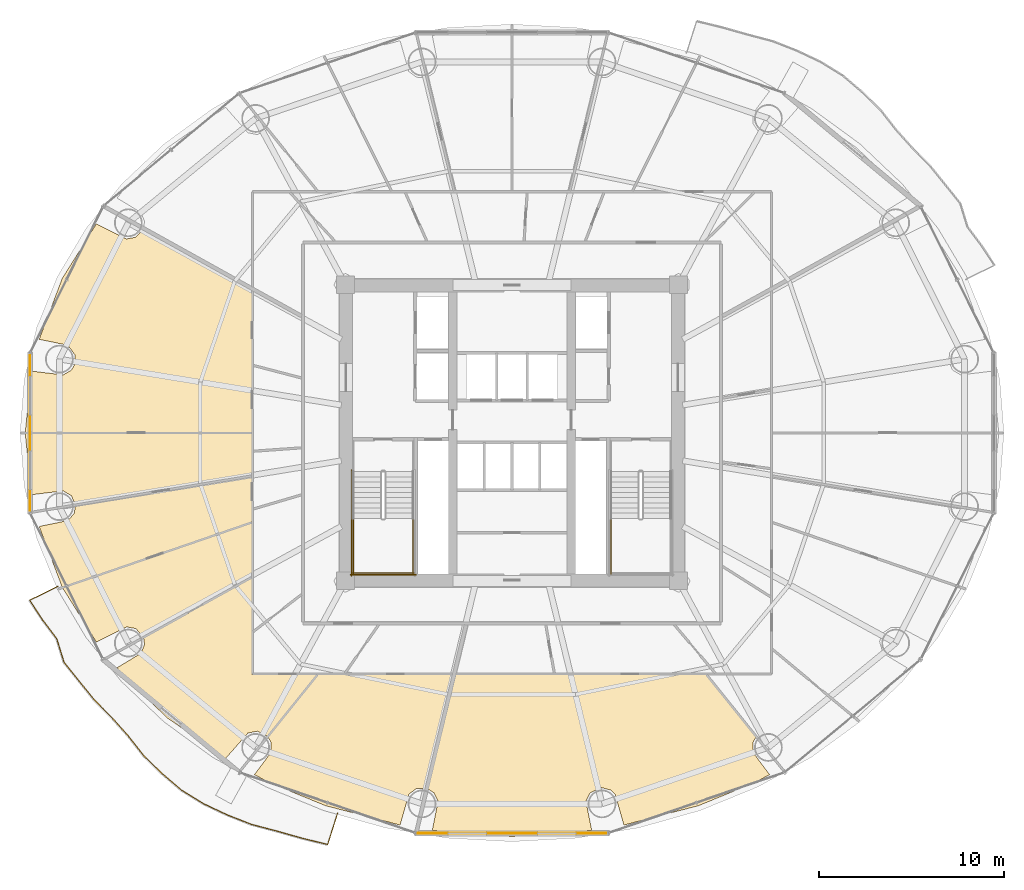
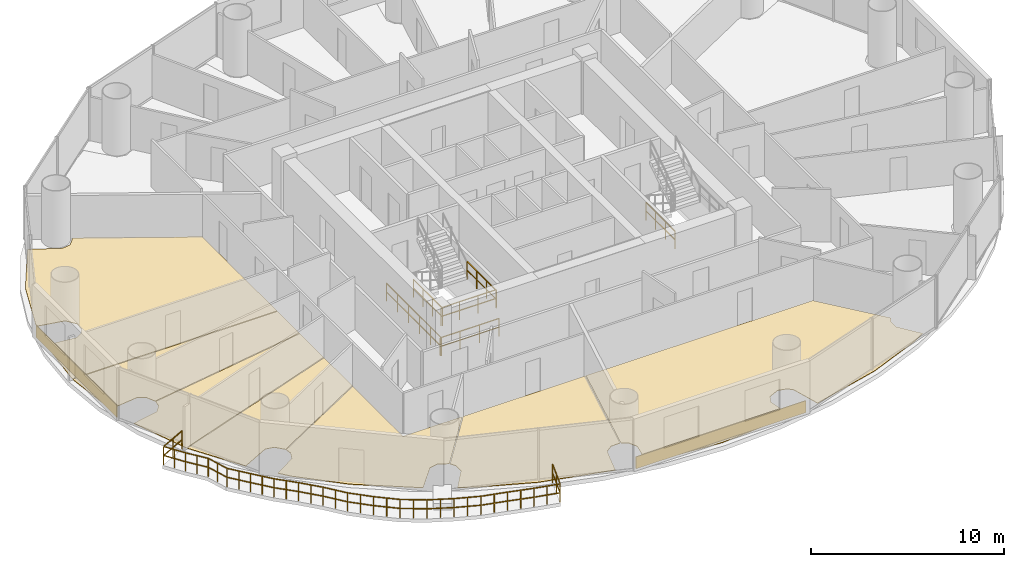
# One storey, part 26 of 29: 9 coverings, 7 railings.
"""IFC4 building model written with IfcOpenShell, lengths in metres."""

from ifc_helpers import new_model, si_unit, direction, frame, origin, origin_2d, place, context, subcontext, project, spatial, polyline, rectangle, outline, extrude, source, transform, mapped, material, layer, layer_set, type_object, element, save


model = new_model("IFC4")

# Units and contexts
model_context = context("Model", 3, precision=1e-05, world=origin(), true_north=direction((-0.2419218956, 0.970295726276)))
body_context = subcontext(model_context, "Body", "Model", "MODEL_VIEW")
ifc_project = project(units=[si_unit("LENGTHUNIT", "METRE"), si_unit("AREAUNIT", "SQUARE_METRE"), si_unit("VOLUMEUNIT", "CUBIC_METRE"), si_unit("PLANEANGLEUNIT", "RADIAN"), si_unit("MASSUNIT", "GRAM", prefix="KILO")], contexts=[model_context])

# Site, building, storey
site_placement = place(None, origin())
site = spatial("IfcSite", under=ifc_project, at=site_placement, CompositionType="ELEMENT")
building_placement = place(site_placement, origin())
building = spatial("IfcBuilding", under=site, at=building_placement, Name="Cobrevalo Terracotta Tower", CompositionType="ELEMENT")
storey_placement = place(building_placement, frame((0.0, 0.0, 90.60009765625)))
storey = spatial("IfcBuildingStorey", under=building, at=storey_placement, Name="L23", CompositionType="ELEMENT", Elevation=90.60009765625)

# Railing
ifc_material_1 = material(Name="Laminated structural glass and stainless steel", Category="steel")
railing_type_1 = type_object("IfcRailingType", Name="Balcony lobe structural glass & terracotta-cap balustrade 1180 mm", PredefinedType="BALUSTRADE", material=ifc_material_1)
railing_1_placement = place(storey_placement, frame((13.455810546875, 18.504150390625, 0.0)))
element("IfcRailing", 1, at=railing_1_placement, inside=storey, type_object=railing_type_1, Name="L23 spiralling balcony lobe balustrade 2", PredefinedType="BALUSTRADE", context=body_context, shape_type="SweptSolid", body=[
    extrude(rectangle(XDim=0.048095703125, YDim=0.048095703125, at=origin_2d()), frame((0.0, 0.0, 1.15576171875), z_axis=(-0.89822753521, -0.439530766831, 0.0), x_axis=(0.439530766831, -0.89822753521, 0.0)), (0.0, 0.0, 1.0), 1.70703125),
    extrude(rectangle(XDim=0.048095703125, YDim=0.048095703125, at=origin_2d()), frame((0.0, 0.0, 0.58984375), z_axis=(-0.89822753521, -0.439530766831, 0.0), x_axis=(0.439530766831, -0.89822753521, 0.0)), (0.0, 0.0, 1.0), 1.70703125),
    extrude(rectangle(XDim=0.048095703125, YDim=0.048095703125, at=origin_2d()), frame((-1.533203125, -0.750244140625, 1.15576171875), z_axis=(0.549292614204, -0.835630076039, 0.0), x_axis=(0.835630076039, 0.549292614204, 0.0)), (0.0, 0.0, 1.0), 1.27392578125),
    extrude(rectangle(XDim=0.048095703125, YDim=0.048095703125, at=origin_2d()), frame((-1.533203125, -0.750244140625, 0.58984375), z_axis=(0.549292614204, -0.835630076039, 0.0), x_axis=(0.835630076039, 0.549292614204, 0.0)), (0.0, 0.0, 1.0), 1.27392578125),
    extrude(rectangle(XDim=0.048095703125, YDim=0.048095703125, at=origin_2d()), frame((-0.83349609375, -1.814697265625, 1.15576171875), z_axis=(0.601596404004, -0.798800204487, 0.0), x_axis=(0.798800204487, 0.601596404004, 0.0)), (0.0, 0.0, 1.0), 1.271484375),
    extrude(rectangle(XDim=0.048095703125, YDim=0.048095703125, at=origin_2d()), frame((-0.83349609375, -1.814697265625, 0.58984375), z_axis=(0.601596404004, -0.798800204487, 0.0), x_axis=(0.798800204487, 0.601596404004, 0.0)), (0.0, 0.0, 1.0), 1.271484375),
    extrude(rectangle(XDim=0.048095703125, YDim=0.048095703125, at=origin_2d()), frame((-0.068603515625, -2.830322265625, 1.15576171875), z_axis=(0.294689932382, -0.955592927848, 0.0), x_axis=(0.955592927848, 0.294689932382, 0.0)), (0.0, 0.0, 1.0), 1.334716796875),
    extrude(rectangle(XDim=0.048095703125, YDim=0.048095703125, at=origin_2d()), frame((-0.068603515625, -2.830322265625, 0.58984375), z_axis=(0.294689932382, -0.955592927848, 0.0), x_axis=(0.955592927848, 0.294689932382, 0.0)), (0.0, 0.0, 1.0), 1.334716796875),
    extrude(rectangle(XDim=0.048095703125, YDim=0.048095703125, at=origin_2d()), frame((0.32470703125, -4.105712890625, 1.15576171875), z_axis=(0.625538495004, -0.780193303783, 0.0), x_axis=(0.780193303783, 0.625538495004, 0.0)), (0.0, 0.0, 1.0), 1.305419921875),
    extrude(rectangle(XDim=0.048095703125, YDim=0.048095703125, at=origin_2d()), frame((0.32470703125, -4.105712890625, 0.58984375), z_axis=(0.625538495004, -0.780193303783, 0.0), x_axis=(0.780193303783, 0.625538495004, 0.0)), (0.0, 0.0, 1.0), 1.305419921875),
    extrude(rectangle(XDim=0.048095703125, YDim=0.048095703125, at=origin_2d()), frame((1.141357421875, -5.124267578125, 1.15576171875), z_axis=(0.628820955915, -0.777550130475, 0.0), x_axis=(0.777550130475, 0.628820955915, 0.0)), (0.0, 0.0, 1.0), 1.303466796875),
    extrude(rectangle(XDim=0.048095703125, YDim=0.048095703125, at=origin_2d()), frame((1.141357421875, -5.124267578125, 0.58984375), z_axis=(0.628820955915, -0.777550130475, 0.0), x_axis=(0.777550130475, 0.628820955915, 0.0)), (0.0, 0.0, 1.0), 1.303466796875),
    extrude(rectangle(XDim=0.048095703125, YDim=0.048095703125, at=origin_2d()), frame((1.9609375, -6.1376953125, 1.15576171875), z_axis=(0.70396125259, -0.710238378892, 0.0), x_axis=(0.710238378892, 0.70396125259, 0.0)), (0.0, 0.0, 1.0), 1.322265625),
    extrude(rectangle(XDim=0.048095703125, YDim=0.048095703125, at=origin_2d()), frame((1.9609375, -6.1376953125, 0.58984375), z_axis=(0.70396125259, -0.710238378892, 0.0), x_axis=(0.710238378892, 0.70396125259, 0.0)), (0.0, 0.0, 1.0), 1.322265625),
    extrude(rectangle(XDim=0.048095703125, YDim=0.048095703125, at=origin_2d()), frame((2.891845703125, -7.076904296875, 1.15576171875), z_axis=(0.667995347752, -0.744165448931, 0.0), x_axis=(0.744165448931, 0.667995347752, 0.0)), (0.0, 0.0, 1.0), 1.336669921875),
    extrude(rectangle(XDim=0.048095703125, YDim=0.048095703125, at=origin_2d()), frame((2.891845703125, -7.076904296875, 0.58984375), z_axis=(0.667995347752, -0.744165448931, 0.0), x_axis=(0.744165448931, 0.667995347752, 0.0)), (0.0, 0.0, 1.0), 1.336669921875),
    extrude(rectangle(XDim=0.048095703125, YDim=0.048095703125, at=origin_2d()), frame((3.78466796875, -8.071533203125, 1.15576171875), z_axis=(0.616514773318, -0.787343339516, 0.0), x_axis=(0.787343339516, 0.616514773318, 0.0)), (0.0, 0.0, 1.0), 1.37060546875),
    extrude(rectangle(XDim=0.048095703125, YDim=0.048095703125, at=origin_2d()), frame((3.78466796875, -8.071533203125, 0.58984375), z_axis=(0.616514773318, -0.787343339516, 0.0), x_axis=(0.787343339516, 0.616514773318, 0.0)), (0.0, 0.0, 1.0), 1.37060546875),
    extrude(rectangle(XDim=0.048095703125, YDim=0.048095703125, at=origin_2d()), frame((4.629638671875, -9.150634765625, 1.15576171875), z_axis=(0.715940743722, -0.698161049815, 0.0), x_axis=(0.698161049815, 0.715940743722, 0.0)), (0.0, 0.0, 1.0), 1.386962890625),
    extrude(rectangle(XDim=0.048095703125, YDim=0.048095703125, at=origin_2d()), frame((4.629638671875, -9.150634765625, 0.58984375), z_axis=(0.715940743722, -0.698161049815, 0.0), x_axis=(0.698161049815, 0.715940743722, 0.0)), (0.0, 0.0, 1.0), 1.386962890625),
    extrude(rectangle(XDim=0.048095703125, YDim=0.048095703125, at=origin_2d()), frame((5.62255859375, -10.118896484375, 1.15576171875), z_axis=(0.760767610744, -0.649024377387, 0.0), x_axis=(0.649024377387, 0.760767610744, 0.0)), (0.0, 0.0, 1.0), 1.3896484375),
    extrude(rectangle(XDim=0.048095703125, YDim=0.048095703125, at=origin_2d()), frame((5.62255859375, -10.118896484375, 0.58984375), z_axis=(0.760767610744, -0.649024377387, 0.0), x_axis=(0.649024377387, 0.760767610744, 0.0)), (0.0, 0.0, 1.0), 1.3896484375),
    extrude(rectangle(XDim=0.048095703125, YDim=0.048095703125, at=origin_2d()), frame((6.6796875, -11.020751953125, 1.15576171875), z_axis=(0.851514645557, -0.524330819618, 0.0), x_axis=(0.524330819618, 0.851514645557, 0.0)), (0.0, 0.0, 1.0), 1.400634765625),
    extrude(rectangle(XDim=0.048095703125, YDim=0.048095703125, at=origin_2d()), frame((6.6796875, -11.020751953125, 0.58984375), z_axis=(0.851514645557, -0.524330819618, 0.0), x_axis=(0.524330819618, 0.851514645557, 0.0)), (0.0, 0.0, 1.0), 1.400634765625),
    extrude(rectangle(XDim=0.048095703125, YDim=0.048095703125, at=origin_2d()), frame((7.872314453125, -11.755126953125, 1.15576171875), z_axis=(0.904461800643, -0.426554628596, 0.0), x_axis=(0.426554628596, 0.904461800643, 0.0)), (0.0, 0.0, 1.0), 1.412109375),
    extrude(rectangle(XDim=0.048095703125, YDim=0.048095703125, at=origin_2d()), frame((7.872314453125, -11.755126953125, 0.58984375), z_axis=(0.904461800643, -0.426554628596, 0.0), x_axis=(0.426554628596, 0.904461800643, 0.0)), (0.0, 0.0, 1.0), 1.412109375),
    extrude(rectangle(XDim=0.048095703125, YDim=0.048095703125, at=origin_2d()), frame((9.1494140625, -12.357421875, 1.15576171875), z_axis=(0.931014811424, -0.364981398032, 0.0), x_axis=(0.364981398032, 0.931014811424, 0.0)), (0.0, 0.0, 1.0), 1.407470703125),
    extrude(rectangle(XDim=0.048095703125, YDim=0.048095703125, at=origin_2d()), frame((9.1494140625, -12.357421875, 0.58984375), z_axis=(0.931014811424, -0.364981398032, 0.0), x_axis=(0.364981398032, 0.931014811424, 0.0)), (0.0, 0.0, 1.0), 1.407470703125),
    extrude(rectangle(XDim=0.048095703125, YDim=0.048095703125, at=origin_2d()), frame((10.459716796875, -12.87109375, 1.15576171875), z_axis=(0.967136275783, -0.254258577169, 0.0), x_axis=(0.254258577169, 0.967136275783, 0.0)), (0.0, 0.0, 1.0), 1.43359375),
    extrude(rectangle(XDim=0.048095703125, YDim=0.048095703125, at=origin_2d()), frame((10.459716796875, -12.87109375, 0.58984375), z_axis=(0.967136275783, -0.254258577169, 0.0), x_axis=(0.254258577169, 0.967136275783, 0.0)), (0.0, 0.0, 1.0), 1.43359375),
    extrude(rectangle(XDim=0.048095703125, YDim=0.048095703125, at=origin_2d()), frame((11.84619140625, -13.235595703125, 1.15576171875), z_axis=(0.962199210633, -0.272346615653, 0.0), x_axis=(0.272346615653, 0.962199210633, 0.0)), (0.0, 0.0, 1.0), 1.412841796875),
    extrude(rectangle(XDim=0.048095703125, YDim=0.048095703125, at=origin_2d()), frame((11.84619140625, -13.235595703125, 0.58984375), z_axis=(0.962199210633, -0.272346615653, 0.0), x_axis=(0.272346615653, 0.962199210633, 0.0)), (0.0, 0.0, 1.0), 1.412841796875),
    extrude(rectangle(XDim=0.048095703125, YDim=0.048095703125, at=origin_2d()), frame((13.20556640625, -13.620361328125, 1.15576171875), z_axis=(0.971558148622, -0.236801106091, 0.0), x_axis=(0.236801106091, 0.971558148622, 0.0)), (0.0, 0.0, 1.0), 1.41357421875),
    extrude(rectangle(XDim=0.048095703125, YDim=0.048095703125, at=origin_2d()), frame((13.20556640625, -13.620361328125, 0.58984375), z_axis=(0.971558148622, -0.236801106091, 0.0), x_axis=(0.236801106091, 0.971558148622, 0.0)), (0.0, 0.0, 1.0), 1.41357421875),
    extrude(rectangle(XDim=0.048095703125, YDim=0.048095703125, at=origin_2d()), frame((14.578857421875, -13.955078125, 1.15576171875), z_axis=(0.30216553642, 0.953255468697, 0.0), x_axis=(-0.953255468697, 0.30216553642, 0.0)), (0.0, 0.0, 1.0), 1.796142578125),
    extrude(rectangle(XDim=0.048095703125, YDim=0.048095703125, at=origin_2d()), frame((14.578857421875, -13.955078125, 0.58984375), z_axis=(0.30216553642, 0.953255468697, 0.0), x_axis=(-0.953255468697, 0.30216553642, 0.0)), (0.0, 0.0, 1.0), 1.796142578125),
    extrude(rectangle(XDim=0.0419921875, YDim=0.0419921875, at=origin_2d()), origin(), (0.0, 0.0, 1.0), 1.1318359375),
    extrude(rectangle(XDim=0.0419921875, YDim=0.0419921875, at=origin_2d()), frame((-0.7666015625, -0.375, 0.0)), (0.0, 0.0, 1.0), 1.1318359375),
    extrude(rectangle(XDim=0.0419921875, YDim=0.0419921875, at=origin_2d()), frame((-1.533203125, -0.750244140625, 0.0)), (0.0, 0.0, 1.0), 1.1318359375),
    extrude(rectangle(XDim=0.0419921875, YDim=0.0419921875, at=origin_2d()), frame((-1.183349609375, -1.282470703125, 0.0)), (0.0, 0.0, 1.0), 1.1318359375),
    extrude(rectangle(XDim=0.0419921875, YDim=0.0419921875, at=origin_2d()), frame((-0.83349609375, -1.814697265625, 0.0)), (0.0, 0.0, 1.0), 1.1318359375),
    extrude(rectangle(XDim=0.0419921875, YDim=0.0419921875, at=origin_2d()), frame((-0.451171875, -2.322509765625, 0.0)), (0.0, 0.0, 1.0), 1.1318359375),
    extrude(rectangle(XDim=0.0419921875, YDim=0.0419921875, at=origin_2d()), frame((-0.068603515625, -2.830322265625, 0.0)), (0.0, 0.0, 1.0), 1.1318359375),
    extrude(rectangle(XDim=0.0419921875, YDim=0.0419921875, at=origin_2d()), frame((0.1279296875, -3.468017578125, 0.0)), (0.0, 0.0, 1.0), 1.1318359375),
    extrude(rectangle(XDim=0.0419921875, YDim=0.0419921875, at=origin_2d()), frame((0.32470703125, -4.105712890625, 0.0)), (0.0, 0.0, 1.0), 1.1318359375),
    extrude(rectangle(XDim=0.0419921875, YDim=0.0419921875, at=origin_2d()), frame((0.73291015625, -4.614990234375, 0.0)), (0.0, 0.0, 1.0), 1.1318359375),
    extrude(rectangle(XDim=0.0419921875, YDim=0.0419921875, at=origin_2d()), frame((1.141357421875, -5.124267578125, 0.0)), (0.0, 0.0, 1.0), 1.1318359375),
    extrude(rectangle(XDim=0.0419921875, YDim=0.0419921875, at=origin_2d()), frame((1.55126953125, -5.630859375, 0.0)), (0.0, 0.0, 1.0), 1.1318359375),
    extrude(rectangle(XDim=0.0419921875, YDim=0.0419921875, at=origin_2d()), frame((1.9609375, -6.1376953125, 0.0)), (0.0, 0.0, 1.0), 1.1318359375),
    extrude(rectangle(XDim=0.0419921875, YDim=0.0419921875, at=origin_2d()), frame((2.42626953125, -6.607421875, 0.0)), (0.0, 0.0, 1.0), 1.1318359375),
    extrude(rectangle(XDim=0.0419921875, YDim=0.0419921875, at=origin_2d()), frame((2.891845703125, -7.076904296875, 0.0)), (0.0, 0.0, 1.0), 1.1318359375),
    extrude(rectangle(XDim=0.0419921875, YDim=0.0419921875, at=origin_2d()), frame((3.33837890625, -7.57421875, 0.0)), (0.0, 0.0, 1.0), 1.1318359375),
    extrude(rectangle(XDim=0.0419921875, YDim=0.0419921875, at=origin_2d()), frame((3.78466796875, -8.071533203125, 0.0)), (0.0, 0.0, 1.0), 1.1318359375),
    extrude(rectangle(XDim=0.0419921875, YDim=0.0419921875, at=origin_2d()), frame((4.20703125, -8.611083984375, 0.0)), (0.0, 0.0, 1.0), 1.1318359375),
    extrude(rectangle(XDim=0.0419921875, YDim=0.0419921875, at=origin_2d()), frame((4.629638671875, -9.150634765625, 0.0)), (0.0, 0.0, 1.0), 1.1318359375),
    extrude(rectangle(XDim=0.0419921875, YDim=0.0419921875, at=origin_2d()), frame((5.1259765625, -9.634765625, 0.0)), (0.0, 0.0, 1.0), 1.1318359375),
    extrude(rectangle(XDim=0.0419921875, YDim=0.0419921875, at=origin_2d()), frame((5.62255859375, -10.118896484375, 0.0)), (0.0, 0.0, 1.0), 1.1318359375),
    extrude(rectangle(XDim=0.0419921875, YDim=0.0419921875, at=origin_2d()), frame((6.151123046875, -10.56982421875, 0.0)), (0.0, 0.0, 1.0), 1.1318359375),
    extrude(rectangle(XDim=0.0419921875, YDim=0.0419921875, at=origin_2d()), frame((6.6796875, -11.020751953125, 0.0)), (0.0, 0.0, 1.0), 1.1318359375),
    extrude(rectangle(XDim=0.0419921875, YDim=0.0419921875, at=origin_2d()), frame((7.27587890625, -11.387939453125, 0.0)), (0.0, 0.0, 1.0), 1.1318359375),
    extrude(rectangle(XDim=0.0419921875, YDim=0.0419921875, at=origin_2d()), frame((7.872314453125, -11.755126953125, 0.0)), (0.0, 0.0, 1.0), 1.1318359375),
    extrude(rectangle(XDim=0.0419921875, YDim=0.0419921875, at=origin_2d()), frame((8.5107421875, -12.05615234375, 0.0)), (0.0, 0.0, 1.0), 1.1318359375),
    extrude(rectangle(XDim=0.0419921875, YDim=0.0419921875, at=origin_2d()), frame((9.1494140625, -12.357421875, 0.0)), (0.0, 0.0, 1.0), 1.1318359375),
    extrude(rectangle(XDim=0.0419921875, YDim=0.0419921875, at=origin_2d()), frame((9.8046875, -12.6142578125, 0.0)), (0.0, 0.0, 1.0), 1.1318359375),
    extrude(rectangle(XDim=0.0419921875, YDim=0.0419921875, at=origin_2d()), frame((10.459716796875, -12.87109375, 0.0)), (0.0, 0.0, 1.0), 1.1318359375),
    extrude(rectangle(XDim=0.0419921875, YDim=0.0419921875, at=origin_2d()), frame((11.15283203125, -13.05322265625, 0.0)), (0.0, 0.0, 1.0), 1.1318359375),
    extrude(rectangle(XDim=0.0419921875, YDim=0.0419921875, at=origin_2d()), frame((11.84619140625, -13.235595703125, 0.0)), (0.0, 0.0, 1.0), 1.1318359375),
    extrude(rectangle(XDim=0.0419921875, YDim=0.0419921875, at=origin_2d()), frame((12.52587890625, -13.427978515625, 0.0)), (0.0, 0.0, 1.0), 1.1318359375),
    extrude(rectangle(XDim=0.0419921875, YDim=0.0419921875, at=origin_2d()), frame((13.20556640625, -13.620361328125, 0.0)), (0.0, 0.0, 1.0), 1.1318359375),
    extrude(rectangle(XDim=0.0419921875, YDim=0.0419921875, at=origin_2d()), frame((13.89208984375, -13.78759765625, 0.0)), (0.0, 0.0, 1.0), 1.1318359375),
    extrude(rectangle(XDim=0.0419921875, YDim=0.0419921875, at=origin_2d()), frame((14.578857421875, -13.955078125, 0.0)), (0.0, 0.0, 1.0), 1.1318359375),
    extrude(rectangle(XDim=0.0419921875, YDim=0.0419921875, at=origin_2d()), frame((14.85009765625, -13.09912109375, 0.0)), (0.0, 0.0, 1.0), 1.1318359375),
    extrude(rectangle(XDim=0.0419921875, YDim=0.0419921875, at=origin_2d()), frame((15.12158203125, -12.242919921875, 0.0)), (0.0, 0.0, 1.0), 1.1318359375),
])

# Coverings
ifc_material_2 = material(Name="Engineered Brazilian hardwood flooring", Category="wood")
ifc_layer_1 = layer(ifc_material_2, 0.028076171875)
ifc_layer_set_1 = layer_set([ifc_layer_1], Name="Engineered Brazilian hardwood flooring")
covering_type_1 = type_object("IfcCoveringType", Name="Engineered Hardwood Suite Flooring 28", PredefinedType="FLOORING", material=ifc_layer_set_1)
covering_1_placement = place(storey_placement, origin())
element("IfcCovering", 2, at=covering_1_placement, inside=storey, type_object=covering_type_1, Name="Flat L23B Penthouse Living and Dining Room floor finish", PredefinedType="FLOORING", context=body_context, shape_type="SweptSolid", body=[
    extrude(outline(polyline([(12.024169921875, 30.143310546875), (13.73095703125, 29.932861328125), (14.1728515625, 30.189208984375), (14.353759765625, 30.481201171875), (14.38623046875, 30.9912109375), (13.99267578125, 31.537841796875), (12.435791015625, 31.859619140625), (13.682861328125, 35.14892578125), (15.525146484375, 38.10546875), (17.15966796875, 37.286376953125), (17.661865234375, 37.381103515625), (18.0703125, 37.8408203125), (23.945068359375, 34.57958984375), (23.945068359375, 26.820068359375), (11.681640625, 26.820068359375), (12.024169921875, 30.143310546875)])), origin(), (0.0, 0.0, 1.0), 0.02978515625),
])
covering_2_placement = place(storey_placement, origin())
element("IfcCovering", 3, at=covering_2_placement, inside=storey, type_object=covering_type_1, Name="Flat L23B Master Bedroom floor finish", PredefinedType="FLOORING", context=body_context, shape_type="SweptSolid", body=[
    extrude(outline(polyline([(11.681640625, 26.780029296875), (23.945068359375, 26.780029296875), (23.945068359375, 24.49755859375), (14.39697265625, 22.919677734375), (14.1728515625, 23.41064453125), (13.73095703125, 23.6669921875), (12.024169921875, 23.45654296875), (11.681640625, 26.780029296875)])), origin(), (0.0, 0.0, 1.0), 0.02978515625),
])
covering_3_placement = place(storey_placement, origin())
element("IfcCovering", 4, at=covering_3_placement, inside=storey, type_object=covering_type_1, Name="Flat L23B Principal Guest Bedroom floor finish", PredefinedType="FLOORING", context=body_context, shape_type="SweptSolid", body=[
    extrude(outline(polyline([(13.6845703125, 18.453369140625), (12.435791015625, 21.740478515625), (13.99267578125, 22.06201171875), (14.330322265625, 22.445556640625), (14.402587890625, 22.8798828125), (23.945068359375, 24.45703125), (23.945068359375, 21.984375), (13.6845703125, 18.453369140625)])), origin(), (0.0, 0.0, 1.0), 0.02978515625),
])
covering_4_placement = place(storey_placement, origin())
element("IfcCovering", 5, at=covering_4_placement, inside=storey, type_object=covering_type_1, Name="Flat L23B North Bedroom floor finish", PredefinedType="FLOORING", context=body_context, shape_type="SweptSolid", body=[
    extrude(outline(polyline([(13.703125, 18.417236328125), (23.945068359375, 21.94189453125), (23.945068359375, 19.020263671875), (18.0703125, 15.759033203125), (17.661865234375, 16.218994140625), (17.15966796875, 16.3134765625), (15.525146484375, 15.49462890625), (13.703125, 18.417236328125)])), origin(), (0.0, 0.0, 1.0), 0.02978515625),
])
covering_5_placement = place(storey_placement, origin())
element("IfcCovering", 6, at=covering_5_placement, inside=storey, type_object=covering_type_1, Name="Flat L23B Penthouse Family Lounge floor finish", PredefinedType="FLOORING", context=body_context, shape_type="SweptSolid", body=[
    extrude(outline(polyline([(19.3876953125, 11.372314453125), (17.117919921875, 13.518310546875), (16.64697265625, 14.102294921875), (17.94091796875, 14.88720703125), (18.131591796875, 15.361328125), (18.083740234375, 15.720703125), (23.945068359375, 18.974609375), (23.945068359375, 13.7451171875), (27.47509765625, 13.7451171875), (24.780029296875, 10.393798828125), (24.221923828125, 10.672607421875), (23.72119140625, 10.5712890625), (22.511474609375, 9.193359375), (19.3876953125, 11.372314453125)])), origin(), (0.0, 0.0, 1.0), 0.02978515625),
])
covering_6_placement = place(storey_placement, origin())
element("IfcCovering", 7, at=covering_6_placement, inside=storey, type_object=covering_type_1, Name="Flat L23B Penthouse Family Lounge floor finish", PredefinedType="FLOORING", context=body_context, shape_type="SweptSolid", body=[
    extrude(outline(polyline([(24.07568359375, 8.32666015625), (24.9814453125, 9.543701171875), (24.97998046875, 10.0546875), (24.806640625, 10.36328125), (27.5263671875, 13.7451171875), (34.853759765625, 13.7451171875), (33.37890625, 7.584716796875), (32.829833984375, 7.5693359375), (32.421875, 7.261962890625), (31.94921875, 5.59814453125), (27.926513671875, 6.641357421875), (24.838623046875, 7.904052734375), (24.07568359375, 8.32666015625)])), origin(), (0.0, 0.0, 1.0), 0.02978515625),
])
covering_7_placement = place(storey_placement, origin())
element("IfcCovering", 8, at=covering_7_placement, inside=storey, type_object=covering_type_1, Name="Flat L23C Penthouse Living and Dining Room floor finish", PredefinedType="FLOORING", context=body_context, shape_type="SweptSolid", body=[
    extrude(outline(polyline([(48.073486328125, 6.641357421875), (44.05078125, 5.59814453125), (43.578125, 7.261962890625), (43.325439453125, 7.494384765625), (42.830810546875, 7.622314453125), (42.2197265625, 7.3388671875), (41.997802734375, 6.87841796875), (42.3095703125, 5.310791015625), (38.0, 4.97998046875), (33.6904296875, 5.310791015625), (34.002197265625, 6.87841796875), (33.7802734375, 7.3388671875), (33.4169921875, 7.5712890625), (34.89501953125, 13.7451171875), (48.4736328125, 13.7451171875), (51.193359375, 10.36328125), (51.02001953125, 10.0546875), (51.0185546875, 9.543701171875), (51.92431640625, 8.32666015625), (51.161376953125, 7.904052734375), (48.073486328125, 6.641357421875)])), origin(), (0.0, 0.0, 1.0), 0.02978515625),
])

# Railings
ifc_material_3 = material(Name="Painted galvanized steel", Category="steel")
railing_type_2 = type_object("IfcRailingType", Name="Stair Well Guard Balustrade 1150", PredefinedType="GUARDRAIL", material=ifc_material_3)
for number, where, name in (
    (9, (29.425048828125, 22.179931640625, 1.7998046875), "L23 ST-1 stair guard 3"),
    (10, (32.64501953125, 22.179931640625, 1.7998046875), "L23 ST-1 stair guard 4"),
):
    element("IfcRailing", number, at=place(storey_placement, frame(where)), inside=storey, type_object=railing_type_2, Name=name, PredefinedType="GUARDRAIL", context=body_context, shape_type="SweptSolid", body=[
        extrude(rectangle(XDim=0.048095703125, YDim=0.048095703125, at=origin_2d()), frame((0.0, 0.0, 1.1259765625), z_axis=(0.0, -1.0, 0.0), x_axis=(1.0, 0.0, 0.0)), (0.0, 0.0, 1.0), 3.0048828125),
        extrude(rectangle(XDim=0.048095703125, YDim=0.048095703125, at=origin_2d()), frame((0.0, 0.0, 0.574951171875), z_axis=(0.0, -1.0, 0.0), x_axis=(1.0, 0.0, 0.0)), (0.0, 0.0, 1.0), 3.0048828125),
        extrude(rectangle(XDim=0.0419921875, YDim=0.0419921875, at=origin_2d()), origin(), (0.0, 0.0, 1.0), 1.101806640625),
        extrude(rectangle(XDim=0.0419921875, YDim=0.0419921875, at=origin_2d()), frame((0.0, -1.001708984375, 0.0)), (0.0, 0.0, 1.0), 1.101806640625),
        extrude(rectangle(XDim=0.0419921875, YDim=0.0419921875, at=origin_2d()), frame((0.0, -2.003173828125, 0.0)), (0.0, 0.0, 1.0), 1.101806640625),
        extrude(rectangle(XDim=0.0419921875, YDim=0.0419921875, at=origin_2d()), frame((0.0, -3.0048828125, 0.0)), (0.0, 0.0, 1.0), 1.101806640625),
    ])
railing_2_placement = place(storey_placement, frame((29.375, 19.22509765625, 1.7998046875)))
element("IfcRailing", 11, at=railing_2_placement, inside=storey, type_object=railing_type_2, Name="L23 ST-1 stair guard 5", PredefinedType="GUARDRAIL", context=body_context, shape_type="SweptSolid", body=[
    extrude(rectangle(XDim=0.048095703125, YDim=0.048095703125, at=origin_2d()), frame((0.0, 0.0, 1.1259765625), z_axis=(1.0, 0.0, 0.0), x_axis=(0.0, 1.0, 0.0)), (0.0, 0.0, 1.0), 3.320068359375),
    extrude(rectangle(XDim=0.048095703125, YDim=0.048095703125, at=origin_2d()), frame((0.0, 0.0, 0.574951171875), z_axis=(1.0, 0.0, 0.0), x_axis=(0.0, 1.0, 0.0)), (0.0, 0.0, 1.0), 3.320068359375),
    extrude(rectangle(XDim=0.0419921875, YDim=0.0419921875, at=origin_2d()), origin(), (0.0, 0.0, 1.0), 1.101806640625),
    extrude(rectangle(XDim=0.0419921875, YDim=0.0419921875, at=origin_2d()), frame((1.106689453125, 0.0, 0.0)), (0.0, 0.0, 1.0), 1.101806640625),
    extrude(rectangle(XDim=0.0419921875, YDim=0.0419921875, at=origin_2d()), frame((2.21337890625, 0.0, 0.0)), (0.0, 0.0, 1.0), 1.101806640625),
    extrude(rectangle(XDim=0.0419921875, YDim=0.0419921875, at=origin_2d()), frame((3.320068359375, 0.0, 0.0)), (0.0, 0.0, 1.0), 1.101806640625),
])
railing_3_placement = place(storey_placement, frame((29.324951171875, 24.800048828125, 0.0)))
element("IfcRailing", 12, at=railing_3_placement, inside=storey, type_object=railing_type_2, Name="L23 ST-1 stair guard 10", PredefinedType="GUARDRAIL", context=body_context, shape_type="SweptSolid", body=[
    extrude(rectangle(XDim=0.048095703125, YDim=0.048095703125, at=origin_2d()), frame((0.0, 0.0, 1.1259765625), z_axis=(0.0, -1.0, 0.0), x_axis=(1.0, 0.0, 0.0)), (0.0, 0.0, 1.0), 5.72509765625),
    extrude(rectangle(XDim=0.048095703125, YDim=0.048095703125, at=origin_2d()), frame((0.0, 0.0, 0.574951171875), z_axis=(0.0, -1.0, 0.0), x_axis=(1.0, 0.0, 0.0)), (0.0, 0.0, 1.0), 5.72509765625),
    extrude(rectangle(XDim=0.0419921875, YDim=0.0419921875, at=origin_2d()), origin(), (0.0, 0.0, 1.0), 1.101806640625),
    extrude(rectangle(XDim=0.0419921875, YDim=0.0419921875, at=origin_2d()), frame((0.0, -1.14501953125, 0.0)), (0.0, 0.0, 1.0), 1.101806640625),
    extrude(rectangle(XDim=0.0419921875, YDim=0.0419921875, at=origin_2d()), frame((0.0, -2.2900390625, 0.0)), (0.0, 0.0, 1.0), 1.101806640625),
    extrude(rectangle(XDim=0.0419921875, YDim=0.0419921875, at=origin_2d()), frame((0.0, -3.43505859375, 0.0)), (0.0, 0.0, 1.0), 1.101806640625),
    extrude(rectangle(XDim=0.0419921875, YDim=0.0419921875, at=origin_2d()), frame((0.0, -4.580078125, 0.0)), (0.0, 0.0, 1.0), 1.101806640625),
    extrude(rectangle(XDim=0.0419921875, YDim=0.0419921875, at=origin_2d()), frame((0.0, -5.72509765625, 0.0)), (0.0, 0.0, 1.0), 1.101806640625),
])
railing_4_placement = place(storey_placement, frame((29.27490234375, 19.125, 0.0)))
element("IfcRailing", 13, at=railing_4_placement, inside=storey, type_object=railing_type_2, Name="L23 ST-1 stair guard 12", PredefinedType="GUARDRAIL", context=body_context, shape_type="SweptSolid", body=[
    extrude(rectangle(XDim=0.048095703125, YDim=0.048095703125, at=origin_2d()), frame((0.0, 0.0, 1.1259765625), z_axis=(1.0, 0.0, 0.0), x_axis=(0.0, 1.0, 0.0)), (0.0, 0.0, 1.0), 3.52001953125),
    extrude(rectangle(XDim=0.048095703125, YDim=0.048095703125, at=origin_2d()), frame((0.0, 0.0, 0.574951171875), z_axis=(1.0, 0.0, 0.0), x_axis=(0.0, 1.0, 0.0)), (0.0, 0.0, 1.0), 3.52001953125),
    extrude(rectangle(XDim=0.0419921875, YDim=0.0419921875, at=origin_2d()), origin(), (0.0, 0.0, 1.0), 1.101806640625),
    extrude(rectangle(XDim=0.0419921875, YDim=0.0419921875, at=origin_2d()), frame((1.17333984375, 0.0, 0.0)), (0.0, 0.0, 1.0), 1.101806640625),
    extrude(rectangle(XDim=0.0419921875, YDim=0.0419921875, at=origin_2d()), frame((2.3466796875, 0.0, 0.0)), (0.0, 0.0, 1.0), 1.101806640625),
    extrude(rectangle(XDim=0.0419921875, YDim=0.0419921875, at=origin_2d()), frame((3.52001953125, 0.0, 0.0)), (0.0, 0.0, 1.0), 1.101806640625),
])
railing_5_placement = place(storey_placement, frame((43.35498046875, 22.179931640625, 1.7998046875)))
element("IfcRailing", 14, at=railing_5_placement, inside=storey, type_object=railing_type_2, Name="L23 ST-2 stair guard 3", PredefinedType="GUARDRAIL", context=body_context, shape_type="SweptSolid", body=[
    extrude(rectangle(XDim=0.048095703125, YDim=0.048095703125, at=origin_2d()), frame((0.0, 0.0, 1.1259765625), z_axis=(0.0, -1.0, 0.0), x_axis=(1.0, 0.0, 0.0)), (0.0, 0.0, 1.0), 3.0048828125),
    extrude(rectangle(XDim=0.048095703125, YDim=0.048095703125, at=origin_2d()), frame((0.0, 0.0, 0.574951171875), z_axis=(0.0, -1.0, 0.0), x_axis=(1.0, 0.0, 0.0)), (0.0, 0.0, 1.0), 3.0048828125),
    extrude(rectangle(XDim=0.0419921875, YDim=0.0419921875, at=origin_2d()), origin(), (0.0, 0.0, 1.0), 1.101806640625),
    extrude(rectangle(XDim=0.0419921875, YDim=0.0419921875, at=origin_2d()), frame((0.0, -1.001708984375, 0.0)), (0.0, 0.0, 1.0), 1.101806640625),
    extrude(rectangle(XDim=0.0419921875, YDim=0.0419921875, at=origin_2d()), frame((0.0, -2.003173828125, 0.0)), (0.0, 0.0, 1.0), 1.101806640625),
    extrude(rectangle(XDim=0.0419921875, YDim=0.0419921875, at=origin_2d()), frame((0.0, -3.0048828125, 0.0)), (0.0, 0.0, 1.0), 1.101806640625),
])

# Coverings
ifc_material_4 = material(Name="Glazed terracotta facade cladding tile", Category="masonry")
ifc_layer_2 = layer(ifc_material_4, 0.044921875)
ifc_layer_set_2 = layer_set([ifc_layer_2], Name="Glazed terracotta facade cladding tile")
covering_type_2 = type_object("IfcCoveringType", Name="Architectural terracotta rainscreen spandrel cladding 45 mm", PredefinedType="CLADDING", material=ifc_layer_set_2)
shared_shape_1 = source(origin(), body_context, "Body", "SweptSolid", [
    extrude(rectangle(XDim=10.1669921875, YDim=0.044921875, at=origin_2d()), origin(), (0.0, 0.0, 1.0), 0.760009765625),
])
covering_8_placement = place(storey_placement, frame((38.0, 5.154052734375, 0.0400390625), z_axis=(0.0, 0.0, 1.0), x_axis=(1.0, 0.0, 0.0)))
element("IfcCovering", 15, at=covering_8_placement, inside=storey, type_object=covering_type_2, Name="L23 terracotta spandrel cladding S12", PredefinedType="CLADDING", context=body_context, shape_type="MappedRepresentation", body=[
    mapped(shared_shape_1, transform((0.0, 0.0, 0.0), scale=1.0)),
])
shared_shape_2 = source(origin(), body_context, "Body", "SweptSolid", [
    extrude(rectangle(XDim=8.411376953125, YDim=0.044921875, at=origin_2d()), origin(), (0.0, 0.0, 1.0), 0.760009765625),
])
covering_9_placement = place(storey_placement, frame((11.9404296875, 26.800048828125, 0.0400390625), z_axis=(0.0, 0.0, 1.0), x_axis=(0.0, -1.0, 0.0)))
element("IfcCovering", 16, at=covering_9_placement, inside=storey, type_object=covering_type_2, Name="L23 terracotta spandrel cladding S08", PredefinedType="CLADDING", context=body_context, shape_type="MappedRepresentation", body=[
    mapped(shared_shape_2, transform((0.0, 0.0, 0.0), scale=1.0)),
])

save(model, "model.ifc")
